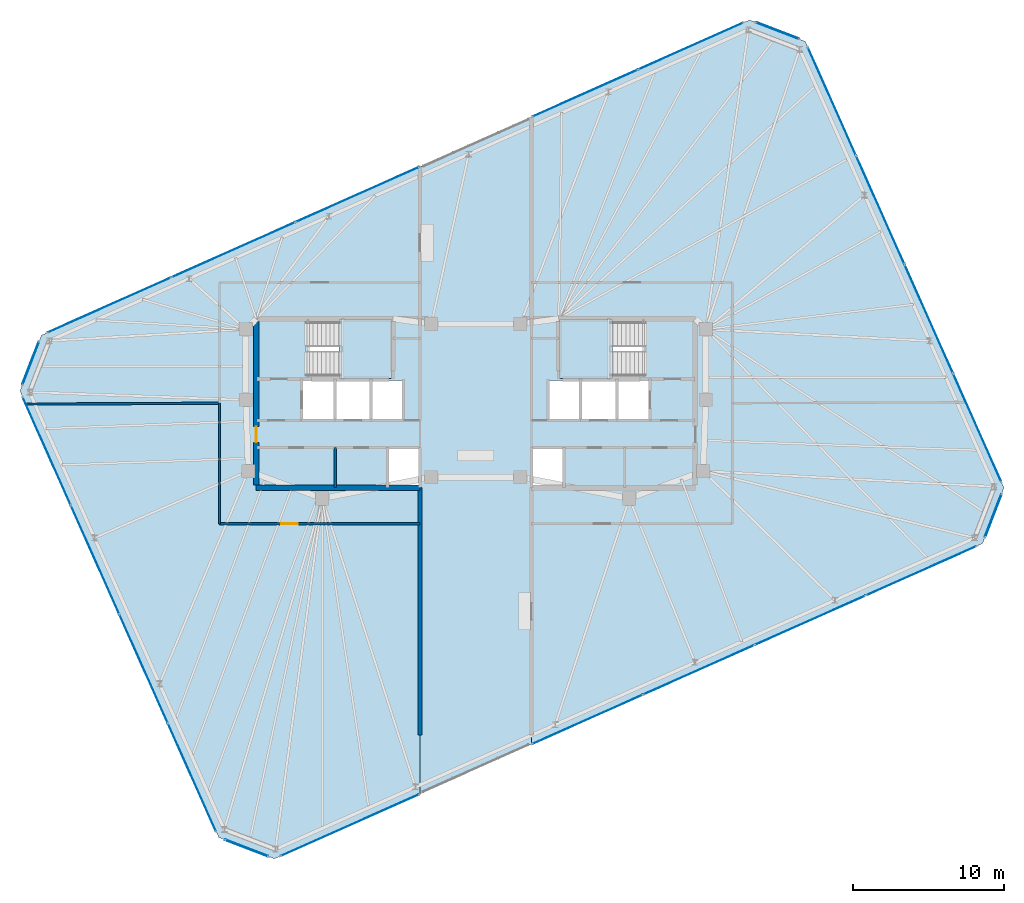
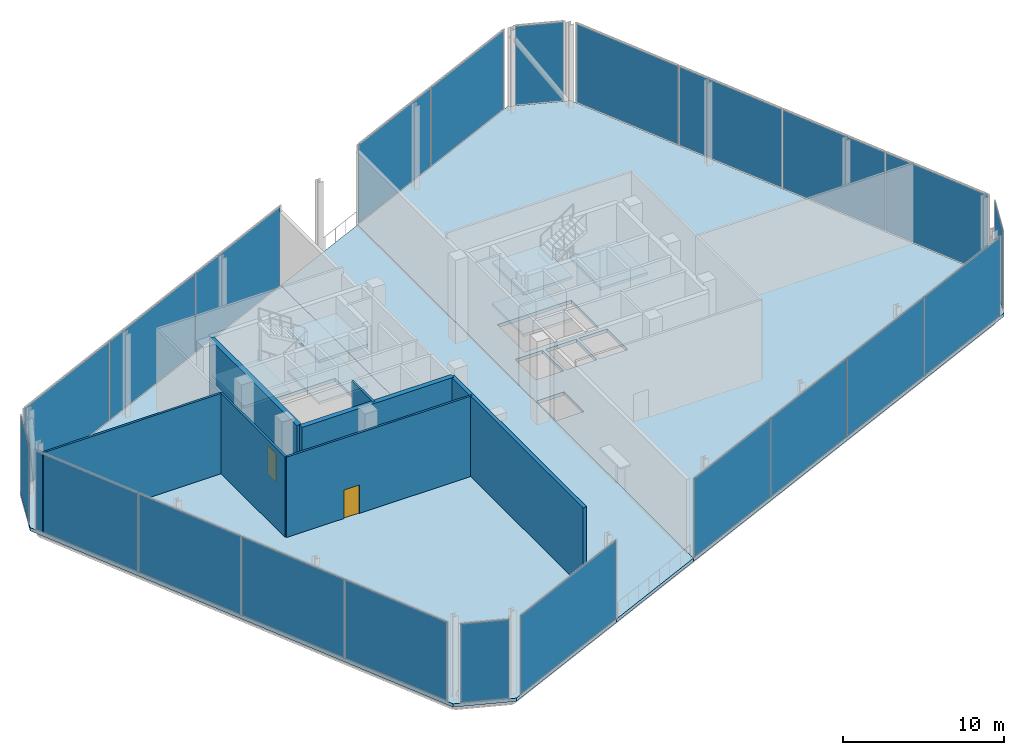
# One storey, part 13 of 16: 22 plates, 9 slabs, 7 walls, 2 doors, 2 openings, 12 elements without a shape of their own.
"""IFC4 building model written with IfcOpenShell, lengths in metres."""

from ifc_helpers import new_model, si_unit, direction, frame, frame_2d, origin, origin_2d, place, context, subcontext, project, spatial, polyline, rectangle, outline, extrude, material, layer, layer_set, type_object, element, fill, aggregate, save


model = new_model("IFC4")

# Units and contexts
model_context = context("Model", 3, precision=1e-05, world=origin(), true_north=direction((0.0, 1.0)))
body_context = subcontext(model_context, "Body", "Model", "MODEL_VIEW")
ifc_project = project(units=[si_unit("LENGTHUNIT", "METRE"), si_unit("AREAUNIT", "SQUARE_METRE"), si_unit("VOLUMEUNIT", "CUBIC_METRE"), si_unit("PLANEANGLEUNIT", "RADIAN"), si_unit("MASSUNIT", "GRAM", prefix="KILO")], contexts=[model_context])

# Site, building, storey
site_placement = place(None, origin())
site = spatial("IfcSite", under=ifc_project, at=site_placement, CompositionType="ELEMENT")
building_placement = place(site_placement, origin())
building = spatial("IfcBuilding", under=site, at=building_placement, Name="Menara Jurai Vektor", CompositionType="ELEMENT")
storey_placement = place(building_placement, frame((0.0, 0.0, 275.60009765625)))
storey = spatial("IfcBuildingStorey", under=building, at=storey_placement, Name="L74", CompositionType="ELEMENT", Elevation=275.60009765625)

# Curtain wall, plates
ifc_material_1 = material(Name="Anodised Pale Aluminium & Low-E Double Glazing", Category="aluminium")
curtain_wall_type = type_object("IfcCurtainWallType", Name="CW-BLK5", PredefinedType="NOTDEFINED", material=ifc_material_1)
curtain_wall_1_placement = place(storey_placement, origin())
curtain_wall_1 = element("IfcCurtainWall", 1, at=curtain_wall_1_placement, inside=storey, type_object=curtain_wall_type, Name="Unitised Curtain Wall L74 W1-02", PredefinedType="NOTDEFINED")
ifc_material_2 = material(Name="Low-E Solar-Control Double Glazed Unit", Category="glass")
ifc_layer_1 = layer(ifc_material_2, 0.028076171875)
ifc_layer_set_1 = layer_set([ifc_layer_1], Name="Low-E Solar-Control Double Glazed Unit")
plate_type_1 = type_object("IfcPlateType", Name="CW-BLK5-PNL", PredefinedType="CURTAIN_PANEL", material=ifc_layer_set_1)
plate_1_placement = place(storey_placement, frame((-7.84375, 13.83740234375, 0.07470703125), z_axis=(0.0, 0.0, 1.0), x_axis=(-0.913545690983, -0.406736118984, 0.0)))
plate_1 = element("IfcPlate", 2, at=plate_1_placement, type_object=plate_type_1, Name="CW-05 panel 1.1", PredefinedType="CURTAIN_PANEL", context=body_context, shape_type="SweptSolid", body=[
    extrude(rectangle(XDim=8.921630859375, YDim=0.028076171875, at=origin_2d()), origin(), (0.0, 0.0, 1.0), 5.925048828125),
])
plate_2_placement = place(storey_placement, frame((-16.07958984375, 10.17041015625, 0.07470703125), z_axis=(0.0, 0.0, 1.0), x_axis=(-0.913545690983, -0.406736118984, 0.0)))
plate_2 = element("IfcPlate", 3, at=plate_2_placement, type_object=plate_type_1, Name="CW-05 panel 2.1", PredefinedType="CURTAIN_PANEL", context=body_context, shape_type="SweptSolid", body=[
    extrude(rectangle(XDim=8.958984375, YDim=0.028076171875, at=origin_2d()), origin(), (0.0, 0.0, 1.0), 5.925048828125),
])
plate_3_placement = place(storey_placement, frame((-24.3154296875, 6.503662109375, 0.07470703125), z_axis=(0.0, 0.0, 1.0), x_axis=(-0.913545690983, -0.406736118984, 0.0)))
plate_3 = element("IfcPlate", 4, at=plate_3_placement, type_object=plate_type_1, Name="CW-05 panel 3.1", PredefinedType="CURTAIN_PANEL", context=body_context, shape_type="SweptSolid", body=[
    extrude(rectangle(XDim=8.921630859375, YDim=0.028076171875, at=origin_2d()), origin(), (0.0, 0.0, 1.0), 5.925048828125),
])
aggregate(curtain_wall_1, [plate_1, plate_2, plate_3])

curtain_wall_2_placement = place(storey_placement, origin())
curtain_wall_2 = element("IfcCurtainWall", 5, at=curtain_wall_2_placement, inside=storey, type_object=curtain_wall_type, Name="Unitised Curtain Wall L74 W1-04", PredefinedType="NOTDEFINED")
plate_4_placement = place(storey_placement, frame((-28.454345703125, -3.169921875, 0.07470703125), z_axis=(0.0, 0.0, 1.0), x_axis=(0.406735138086, -0.913546127706, 0.0)))
plate_4 = element("IfcPlate", 6, at=plate_4_placement, type_object=plate_type_1, Name="CW-05 panel 1.1", PredefinedType="CURTAIN_PANEL", context=body_context, shape_type="SweptSolid", body=[
    extrude(rectangle(XDim=7.797607421875, YDim=0.028076171875, at=origin_2d()), origin(), (0.0, 0.0, 1.0), 5.925048828125),
])
plate_5_placement = place(storey_placement, frame((-25.24462890625, -10.37890625, 0.07470703125), z_axis=(0.0, 0.0, 1.0), x_axis=(0.406735138086, -0.913546127706, 0.0)))
plate_5 = element("IfcPlate", 7, at=plate_5_placement, type_object=plate_type_1, Name="CW-05 panel 2.1", PredefinedType="CURTAIN_PANEL", context=body_context, shape_type="SweptSolid", body=[
    extrude(rectangle(XDim=7.8349609375, YDim=0.028076171875, at=origin_2d()), origin(), (0.0, 0.0, 1.0), 5.925048828125),
])
plate_6_placement = place(storey_placement, frame((-22.02734375, -17.60498046875, 0.07470703125), z_axis=(0.0, 0.0, 1.0), x_axis=(0.406735138086, -0.913546127706, 0.0)))
plate_6 = element("IfcPlate", 8, at=plate_6_placement, type_object=plate_type_1, Name="CW-05 panel 3.1", PredefinedType="CURTAIN_PANEL", context=body_context, shape_type="SweptSolid", body=[
    extrude(rectangle(XDim=7.8349609375, YDim=0.028076171875, at=origin_2d()), origin(), (0.0, 0.0, 1.0), 5.925048828125),
])
plate_7_placement = place(storey_placement, frame((-18.81787109375, -24.814208984375, 0.07470703125), z_axis=(0.0, 0.0, 1.0), x_axis=(0.406735138086, -0.913546127706, 0.0)))
plate_7 = element("IfcPlate", 9, at=plate_7_placement, type_object=plate_type_1, Name="CW-05 panel 4.1", PredefinedType="CURTAIN_PANEL", context=body_context, shape_type="SweptSolid", body=[
    extrude(rectangle(XDim=7.797607421875, YDim=0.028076171875, at=origin_2d()), origin(), (0.0, 0.0, 1.0), 5.925048828125),
])
aggregate(curtain_wall_2, [plate_4, plate_5, plate_6, plate_7])

# Curtain wall, plate
curtain_wall_3_placement = place(storey_placement, origin())
curtain_wall_3 = element("IfcCurtainWall", 10, at=curtain_wall_3_placement, inside=storey, type_object=curtain_wall_type, Name="Unitised Curtain Wall L74 W1-06", PredefinedType="NOTDEFINED")
plate_8_placement = place(storey_placement, frame((-8.3515625, -27.98486328125, 0.07470703125), z_axis=(0.0, 0.0, 1.0), x_axis=(0.913547736657, 0.406731524287, 0.0)))
plate_8 = element("IfcPlate", 11, at=plate_8_placement, type_object=plate_type_1, Name="CW-05 panel 1.1", PredefinedType="CURTAIN_PANEL", context=body_context, shape_type="SweptSolid", body=[
    extrude(rectangle(XDim=10.033447265625, YDim=0.028076171875, at=origin_2d()), origin(), (0.0, 0.0, 1.0), 5.925048828125),
])
aggregate(curtain_wall_3, [plate_8])

# Curtain wall, plates
curtain_wall_4_placement = place(storey_placement, origin())
curtain_wall_4 = element("IfcCurtainWall", 12, at=curtain_wall_4_placement, inside=storey, type_object=curtain_wall_type, Name="Unitised Curtain Wall L74 W2-02", PredefinedType="NOTDEFINED")
plate_9_placement = place(storey_placement, frame((7.412109375, -20.966552734375, 0.07470703125), z_axis=(0.0, 0.0, 1.0), x_axis=(0.913545626561, 0.406736263679, 0.0)))
plate_9 = element("IfcPlate", 13, at=plate_9_placement, type_object=plate_type_1, Name="CW-05 panel 1.1", PredefinedType="CURTAIN_PANEL", context=body_context, shape_type="SweptSolid", body=[
    extrude(rectangle(XDim=7.9765625, YDim=0.028076171875, at=origin_2d()), origin(), (0.0, 0.0, 1.0), 5.925048828125),
])
plate_10_placement = place(storey_placement, frame((14.78466796875, -17.68408203125, 0.07470703125), z_axis=(0.0, 0.0, 1.0), x_axis=(0.913545626561, 0.406736263679, 0.0)))
plate_10 = element("IfcPlate", 14, at=plate_10_placement, type_object=plate_type_1, Name="CW-05 panel 2.1", PredefinedType="CURTAIN_PANEL", context=body_context, shape_type="SweptSolid", body=[
    extrude(rectangle(XDim=8.01416015625, YDim=0.028076171875, at=origin_2d()), origin(), (0.0, 0.0, 1.0), 5.925048828125),
])
plate_11_placement = place(storey_placement, frame((22.17431640625, -14.39404296875, 0.07470703125), z_axis=(0.0, 0.0, 1.0), x_axis=(0.913545626561, 0.406736263679, 0.0)))
plate_11 = element("IfcPlate", 15, at=plate_11_placement, type_object=plate_type_1, Name="CW-05 panel 3.1", PredefinedType="CURTAIN_PANEL", context=body_context, shape_type="SweptSolid", body=[
    extrude(rectangle(XDim=8.01416015625, YDim=0.028076171875, at=origin_2d()), origin(), (0.0, 0.0, 1.0), 5.925048828125),
])
plate_12_placement = place(storey_placement, frame((29.546875, -11.111572265625, 0.07470703125), z_axis=(0.0, 0.0, 1.0), x_axis=(0.913545626561, 0.406736263679, 0.0)))
plate_12 = element("IfcPlate", 16, at=plate_12_placement, type_object=plate_type_1, Name="CW-05 panel 4.1", PredefinedType="CURTAIN_PANEL", context=body_context, shape_type="SweptSolid", body=[
    extrude(rectangle(XDim=7.9765625, YDim=0.028076171875, at=origin_2d()), origin(), (0.0, 0.0, 1.0), 5.925048828125),
])
aggregate(curtain_wall_4, [plate_9, plate_10, plate_11, plate_12])

curtain_wall_5_placement = place(storey_placement, origin())
curtain_wall_5 = element("IfcCurtainWall", 17, at=curtain_wall_5_placement, inside=storey, type_object=curtain_wall_type, Name="Unitised Curtain Wall L74 W2-04", PredefinedType="NOTDEFINED")
plate_13_placement = place(storey_placement, frame((33.25439453125, -1.630126953125, 0.07470703125), z_axis=(0.0, 0.0, 1.0), x_axis=(-0.406735138086, 0.913546127706, 0.0)))
plate_13 = element("IfcPlate", 18, at=plate_13_placement, type_object=plate_type_1, Name="CW-05 panel 1.1", PredefinedType="CURTAIN_PANEL", context=body_context, shape_type="SweptSolid", body=[
    extrude(rectangle(XDim=7.797607421875, YDim=0.028076171875, at=origin_2d()), origin(), (0.0, 0.0, 1.0), 5.925048828125),
])
plate_14_placement = place(storey_placement, frame((30.044677734375, 5.578857421875, 0.07470703125), z_axis=(0.0, 0.0, 1.0), x_axis=(-0.406735138086, 0.913546127706, 0.0)))
plate_14 = element("IfcPlate", 19, at=plate_14_placement, type_object=plate_type_1, Name="CW-05 panel 2.1", PredefinedType="CURTAIN_PANEL", context=body_context, shape_type="SweptSolid", body=[
    extrude(rectangle(XDim=7.8349609375, YDim=0.028076171875, at=origin_2d()), origin(), (0.0, 0.0, 1.0), 5.925048828125),
])
plate_15_placement = place(storey_placement, frame((26.827392578125, 12.80517578125, 0.07470703125), z_axis=(0.0, 0.0, 1.0), x_axis=(-0.406735138086, 0.913546127706, 0.0)))
plate_15 = element("IfcPlate", 20, at=plate_15_placement, type_object=plate_type_1, Name="CW-05 panel 3.1", PredefinedType="CURTAIN_PANEL", context=body_context, shape_type="SweptSolid", body=[
    extrude(rectangle(XDim=7.8349609375, YDim=0.028076171875, at=origin_2d()), origin(), (0.0, 0.0, 1.0), 5.925048828125),
])
plate_16_placement = place(storey_placement, frame((23.61767578125, 20.01416015625, 0.07470703125), z_axis=(0.0, 0.0, 1.0), x_axis=(-0.406735138086, 0.913546127706, 0.0)))
plate_16 = element("IfcPlate", 21, at=plate_16_placement, type_object=plate_type_1, Name="CW-05 panel 4.1", PredefinedType="CURTAIN_PANEL", context=body_context, shape_type="SweptSolid", body=[
    extrude(rectangle(XDim=7.797607421875, YDim=0.028076171875, at=origin_2d()), origin(), (0.0, 0.0, 1.0), 5.925048828125),
])
aggregate(curtain_wall_5, [plate_13, plate_14, plate_15, plate_16])

curtain_wall_6_placement = place(storey_placement, origin())
curtain_wall_6 = element("IfcCurtainWall", 22, at=curtain_wall_6_placement, inside=storey, type_object=curtain_wall_type, Name="Unitised Curtain Wall L74 W2-06", PredefinedType="NOTDEFINED")
plate_17_placement = place(storey_placement, frame((14.260009765625, 23.678466796875, 0.07470703125), z_axis=(0.0, 0.0, 1.0), x_axis=(-0.913546905378, -0.406733391393, 0.0)))
plate_17 = element("IfcPlate", 23, at=plate_17_placement, type_object=plate_type_1, Name="CW-05 panel 1.1", PredefinedType="CURTAIN_PANEL", context=body_context, shape_type="SweptSolid", body=[
    extrude(rectangle(XDim=7.606201171875, YDim=0.028076171875, at=origin_2d()), origin(), (0.0, 0.0, 1.0), 5.925048828125),
])
plate_18_placement = place(storey_placement, frame((7.242919921875, 20.55419921875, 0.07470703125), z_axis=(0.0, 0.0, 1.0), x_axis=(-0.913546905378, -0.406733391393, 0.0)))
plate_18 = element("IfcPlate", 24, at=plate_18_placement, type_object=plate_type_1, Name="CW-05 panel 2.1", PredefinedType="CURTAIN_PANEL", context=body_context, shape_type="SweptSolid", body=[
    extrude(rectangle(XDim=7.606201171875, YDim=0.028076171875, at=origin_2d()), origin(), (0.0, 0.0, 1.0), 5.925048828125),
])
aggregate(curtain_wall_6, [plate_17, plate_18])

# Curtain wall, plate
curtain_wall_7_placement = place(storey_placement, origin())
curtain_wall_7 = element("IfcCurtainWall", 25, at=curtain_wall_7_placement, inside=storey, type_object=curtain_wall_type, Name="Unitised Curtain Wall L74 W1-03", PredefinedType="NOTDEFINED")
ifc_material_3 = material(Name="Insulated Pale Aluminium Spandrel Panel", Category="aluminium")
ifc_layer_2 = layer(ifc_material_3, 0.06005859375)
ifc_layer_set_2 = layer_set([ifc_layer_2], Name="Insulated Pale Aluminium Spandrel Panel")
plate_type_2 = type_object("IfcPlateType", Name="CW-PNL-SP", PredefinedType="CURTAIN_PANEL", material=ifc_layer_set_2)
plate_19_placement = place(storey_placement, frame((-29.515625, 2.65576171875, 0.07470703125), z_axis=(0.0, 0.0, 1.0), x_axis=(-0.358373766287, -0.933578193639, 0.0)))
plate_19 = element("IfcPlate", 26, at=plate_19_placement, type_object=plate_type_2, Name="CW-05 panel 1.1", PredefinedType="CURTAIN_PANEL", context=body_context, shape_type="SweptSolid", body=[
    extrude(rectangle(XDim=3.0498046875, YDim=0.06005859375, at=origin_2d()), origin(), (0.0, 0.0, 1.0), 5.925048828125),
])
aggregate(curtain_wall_7, [plate_19])

curtain_wall_8_placement = place(storey_placement, origin())
curtain_wall_8 = element("IfcCurtainWall", 27, at=curtain_wall_8_placement, inside=storey, type_object=curtain_wall_type, Name="Unitised Curtain Wall L74 W1-05", PredefinedType="NOTDEFINED")
plate_20_placement = place(storey_placement, frame((-15.198486328125, -29.5009765625, 0.07470703125), z_axis=(0.0, 0.0, 1.0), x_axis=(0.933578193639, -0.358373766287, 0.0)))
plate_20 = element("IfcPlate", 28, at=plate_20_placement, type_object=plate_type_2, Name="CW-05 panel 1.1", PredefinedType="CURTAIN_PANEL", context=body_context, shape_type="SweptSolid", body=[
    extrude(rectangle(XDim=3.0498046875, YDim=0.06005859375, at=origin_2d()), origin(), (0.0, 0.0, 1.0), 5.925048828125),
])
aggregate(curtain_wall_8, [plate_20])

curtain_wall_9_placement = place(storey_placement, origin())
curtain_wall_9 = element("IfcCurtainWall", 29, at=curtain_wall_9_placement, inside=storey, type_object=curtain_wall_type, Name="Unitised Curtain Wall L74 W2-03", PredefinedType="NOTDEFINED")
plate_21_placement = place(storey_placement, frame((34.315673828125, -7.455810546875, 0.07470703125), z_axis=(0.0, 0.0, 1.0), x_axis=(0.358373766287, 0.933578193639, 0.0)))
plate_21 = element("IfcPlate", 30, at=plate_21_placement, type_object=plate_type_2, Name="CW-05 panel 1.1", PredefinedType="CURTAIN_PANEL", context=body_context, shape_type="SweptSolid", body=[
    extrude(rectangle(XDim=3.0498046875, YDim=0.06005859375, at=origin_2d()), origin(), (0.0, 0.0, 1.0), 5.925048828125),
])
aggregate(curtain_wall_9, [plate_21])

curtain_wall_10_placement = place(storey_placement, origin())
curtain_wall_10 = element("IfcCurtainWall", 31, at=curtain_wall_10_placement, inside=storey, type_object=curtain_wall_type, Name="Unitised Curtain Wall L74 W2-05", PredefinedType="NOTDEFINED")
plate_22_placement = place(storey_placement, frame((19.99853515625, 24.700927734375, 0.07470703125), z_axis=(0.0, 0.0, 1.0), x_axis=(-0.933578193639, 0.358373766287, 0.0)))
plate_22 = element("IfcPlate", 32, at=plate_22_placement, type_object=plate_type_2, Name="CW-05 panel 1.1", PredefinedType="CURTAIN_PANEL", context=body_context, shape_type="SweptSolid", body=[
    extrude(rectangle(XDim=3.0498046875, YDim=0.06005859375, at=origin_2d()), origin(), (0.0, 0.0, 1.0), 5.925048828125),
])
aggregate(curtain_wall_10, [plate_22])

# Stair, slabs
ifc_material_4 = material(Name="Concrete C40/50", Category="concrete")
stair_type = type_object("IfcStairType", Name="STAIR-DOGLEG-1500", PredefinedType="HALF_TURN_STAIR", material=ifc_material_4)
stair_1_placement = place(storey_placement, origin())
stair_1 = element("IfcStair", 33, at=stair_1_placement, inside=storey, type_object=stair_type, Name="Protected Exit Stair ST1 L74", PredefinedType="HALF_TURN_STAIR")
ifc_layer_3 = layer(ifc_material_4, 0.199951171875)
ifc_layer_set_3 = layer_set([ifc_layer_3], Name="Concrete C40/50")
slab_type_1 = type_object("IfcSlabType", Name="STAIR-LANDING-200", PredefinedType="LANDING", material=ifc_layer_set_3)
slab_1_placement = place(storey_placement, frame((0.0, 0.0, 1.375)))
slab_1 = element("IfcSlab", 34, at=slab_1_placement, type_object=slab_type_1, Name="ST1 landing 1", PredefinedType="LANDING", context=body_context, shape_type="SweptSolid", body=[
    extrude(outline(polyline([(-9.080078125, 1.64990234375), (-5.550048828125, 1.64990234375), (-5.550048828125, 5.550048828125), (-9.080078125, 5.550048828125), (-9.080078125, 1.64990234375)])), origin(), (0.0, 0.0, 1.0), 0.199951171875),
])
slab_2_placement = place(storey_placement, frame((0.0, 0.0, 2.949951171875)))
slab_2 = element("IfcSlab", 35, at=slab_2_placement, type_object=slab_type_1, Name="ST1 landing 2", PredefinedType="LANDING", context=body_context, shape_type="SweptSolid", body=[
    extrude(outline(polyline([(-14.449951171875, 1.64990234375), (-11.10009765625, 1.64990234375), (-11.10009765625, 5.550048828125), (-14.449951171875, 5.550048828125), (-14.449951171875, 1.64990234375)])), origin(), (0.0, 0.0, 1.0), 0.199951171875),
])
slab_3_placement = place(storey_placement, frame((0.0, 0.0, 4.52490234375)))
slab_3 = element("IfcSlab", 36, at=slab_3_placement, type_object=slab_type_1, Name="ST1 landing 3", PredefinedType="LANDING", context=body_context, shape_type="SweptSolid", body=[
    extrude(outline(polyline([(-9.080078125, 1.64990234375), (-5.550048828125, 1.64990234375), (-5.550048828125, 5.550048828125), (-9.080078125, 5.550048828125), (-9.080078125, 1.64990234375)])), origin(), (0.0, 0.0, 1.0), 0.199951171875),
])
aggregate(stair_1, [slab_1, slab_2, slab_3])

stair_2_placement = place(storey_placement, origin())
stair_2 = element("IfcStair", 37, at=stair_2_placement, inside=storey, type_object=stair_type, Name="Protected Exit Stair ST2 L74", PredefinedType="HALF_TURN_STAIR")
slab_4_placement = place(storey_placement, frame((0.0, 0.0, 1.375)))
slab_4 = element("IfcSlab", 38, at=slab_4_placement, type_object=slab_type_1, Name="ST2 landing 1", PredefinedType="LANDING", context=body_context, shape_type="SweptSolid", body=[
    extrude(outline(polyline([(5.550048828125, 1.64990234375), (9.080078125, 1.64990234375), (9.080078125, 5.550048828125), (5.550048828125, 5.550048828125), (5.550048828125, 1.64990234375)])), origin(), (0.0, 0.0, 1.0), 0.199951171875),
])
slab_5_placement = place(storey_placement, frame((0.0, 0.0, 2.949951171875)))
slab_5 = element("IfcSlab", 39, at=slab_5_placement, type_object=slab_type_1, Name="ST2 landing 2", PredefinedType="LANDING", context=body_context, shape_type="SweptSolid", body=[
    extrude(outline(polyline([(11.10009765625, 1.64990234375), (14.449951171875, 1.64990234375), (14.449951171875, 5.550048828125), (11.10009765625, 5.550048828125), (11.10009765625, 1.64990234375)])), origin(), (0.0, 0.0, 1.0), 0.199951171875),
])
slab_6_placement = place(storey_placement, frame((0.0, 0.0, 4.52490234375)))
slab_6 = element("IfcSlab", 40, at=slab_6_placement, type_object=slab_type_1, Name="ST2 landing 3", PredefinedType="LANDING", context=body_context, shape_type="SweptSolid", body=[
    extrude(outline(polyline([(5.550048828125, 1.64990234375), (9.080078125, 1.64990234375), (9.080078125, 5.550048828125), (5.550048828125, 5.550048828125), (5.550048828125, 1.64990234375)])), origin(), (0.0, 0.0, 1.0), 0.199951171875),
])
aggregate(stair_2, [slab_4, slab_5, slab_6])

# Slabs
ifc_layer_4 = layer(ifc_material_4, 0.25)
ifc_layer_set_4 = layer_set([ifc_layer_4], Name="Concrete C40/50")
slab_type_2 = type_object("IfcSlabType", Name="STR-SLAB-SKY250", PredefinedType="FLOOR", material=ifc_layer_set_4)
slab_7_placement = place(storey_placement, frame((0.0, 0.0, -0.25)))
element("IfcSlab", 41, at=slab_7_placement, inside=storey, type_object=slab_type_2, Name="Composite Floor Slab L74-1", PredefinedType="FLOOR", context=body_context, shape_type="SweptSolid", body=[
    extrude(outline(polyline([(-3.699951171875, -25.9140625), (-3.699951171875, 15.68212890625), (-28.80615234375, 4.504150390625), (-30.22509765625, 0.807373046875), (-17.046875, -28.79150390625), (-13.35009765625, -30.21044921875), (-3.699951171875, -25.9140625)]), holes=[polyline([(-11.10009765625, 1.89990234375), (-11.10009765625, 5.300048828125), (-5.800048828125, 5.300048828125), (-5.800048828125, 1.89990234375), (-11.10009765625, 1.89990234375)]), polyline([(-11.449951171875, -1.050048828125), (-11.449951171875, 1.5), (-9.449951171875, 1.5), (-9.449951171875, -1.050048828125), (-11.449951171875, -1.050048828125)]), polyline([(-5.760009765625, -5.5), (-5.760009765625, -3.050048828125), (-3.800048828125, -3.050048828125), (-3.800048828125, -5.5), (-5.760009765625, -5.5)]), polyline([(-6.85009765625, -1.050048828125), (-6.85009765625, 1.5), (-4.889892578125, 1.5), (-4.889892578125, -1.050048828125), (-6.85009765625, -1.050048828125)]), polyline([(-9.25, -1.050048828125), (-9.25, 1.5), (-7.050048828125, 1.5), (-7.050048828125, -1.050048828125), (-9.25, -1.050048828125)])]), origin(), (0.0, 0.0, 1.0), 0.25),
])
slab_8_placement = place(storey_placement, frame((0.0, 0.0, -0.25)))
element("IfcSlab", 42, at=slab_8_placement, inside=storey, type_object=slab_type_2, Name="Composite Floor Slab L74-2", PredefinedType="FLOOR", context=body_context, shape_type="SweptSolid", body=[
    extrude(outline(polyline([(3.699951171875, 18.976806640625), (3.699951171875, -22.619384765625), (33.606201171875, -9.30419921875), (35.025146484375, -5.607421875), (21.846923828125, 23.991455078125), (18.150146484375, 25.410400390625), (3.699951171875, 18.976806640625)]), holes=[polyline([(5.800048828125, 1.89990234375), (5.800048828125, 5.300048828125), (11.10009765625, 5.300048828125), (11.10009765625, 1.89990234375), (5.800048828125, 1.89990234375)]), polyline([(9.449951171875, -1.050048828125), (9.449951171875, 1.5), (11.449951171875, 1.5), (11.449951171875, -1.050048828125), (9.449951171875, -1.050048828125)]), polyline([(3.800048828125, -5.5), (3.800048828125, -3.050048828125), (5.760009765625, -3.050048828125), (5.760009765625, -5.5), (3.800048828125, -5.5)]), polyline([(4.889892578125, -1.050048828125), (4.889892578125, 1.5), (6.85009765625, 1.5), (6.85009765625, -1.050048828125), (4.889892578125, -1.050048828125)]), polyline([(7.050048828125, -1.050048828125), (7.050048828125, 1.5), (9.25, 1.5), (9.25, -1.050048828125), (7.050048828125, -1.050048828125)])]), origin(), (0.0, 0.0, 1.0), 0.25),
])
slab_9_placement = place(storey_placement, frame((0.0, 0.0, -0.25)))
element("IfcSlab", 43, at=slab_9_placement, inside=storey, type_object=slab_type_2, Name="L74 Wind Portal Sky Breezeway Deck", PredefinedType="FLOOR", context=body_context, shape_type="SweptSolid", body=[
    extrude(outline(polyline([(3.699951171875, -22.619384765625), (3.699951171875, 18.976806640625), (-3.699951171875, 15.68212890625), (-3.699951171875, -25.9140625), (3.699951171875, -22.619384765625)])), origin(), (0.0, 0.0, 1.0), 0.25),
])

# Walls
ifc_material_5 = material(Name="Insulated Pale Aluminium Terrace Wall", Category="aluminium")
ifc_layer_5 = layer(ifc_material_5, 0.260009765625)
ifc_layer_set_5 = layer_set([ifc_layer_5], Name="Insulated Pale Aluminium Terrace Wall")
wall_type_1 = type_object("IfcWallType", Name="ENV-WALL-EXT260", PredefinedType="STANDARD", material=ifc_layer_set_5)
wall_1_placement = place(storey_placement, frame((-3.699951171875, -22.0, 0.0), z_axis=(0.0, 0.0, 1.0), x_axis=(0.0, 1.0, 0.0)))
element("IfcWall", 44, at=wall_1_placement, inside=storey, type_object=wall_type_1, Name="Wind Portal Breezeway Wall 1-S", PredefinedType="STANDARD", context=body_context, shape_type="SweptSolid", body=[
    extrude(rectangle(XDim=16.39990234375, YDim=0.260009765625, at=frame_2d((8.199951171875, 0.0))), origin(), (0.0, 0.0, 1.0), 6.074951171875),
])
ifc_material_6 = material(Name="Gypsum Fireboard Partition", Category="gypsum")
ifc_layer_6 = layer(ifc_material_6, 0.14990234375)
ifc_layer_set_6 = layer_set([ifc_layer_6], Name="Gypsum Fireboard Partition")
wall_type_2 = type_object("IfcWallType", Name="INT-WALL-CORR-150", PredefinedType="PARTITIONING", material=ifc_layer_set_6)
wall_2_placement = place(storey_placement, frame((-9.320068359375, -5.60009765625, 0.0), z_axis=(0.0, 0.0, 1.0), x_axis=(0.0, 1.0, 0.0)))
element("IfcWall", 45, at=wall_2_placement, inside=storey, type_object=wall_type_2, Name="Interior Wall IW-150 L74", PredefinedType="PARTITIONING", context=body_context, shape_type="SweptSolid", body=[
    extrude(rectangle(XDim=2.650146484375, YDim=0.14990234375, at=frame_2d((1.3251953125, 0.0))), origin(), (0.0, 0.0, 1.0), 6.074951171875),
])
wall_3_placement = place(storey_placement, frame((-17.0, -8.0, 0.0), z_axis=(0.0, 0.0, 1.0), x_axis=(0.0, 1.0, 0.0)))
element("IfcWall", 46, at=wall_3_placement, inside=storey, type_object=wall_type_2, Name="Interior Wall IW-150 L74", PredefinedType="PARTITIONING", context=body_context, shape_type="SweptSolid", body=[
    extrude(rectangle(XDim=8.0, YDim=0.14990234375, at=frame_2d((4.0, 0.0))), origin(), (0.0, 0.0, 1.0), 6.074951171875),
])

# Wall, opening, door
wall_4_placement = place(storey_placement, frame((-17.0, -8.0, 0.0), z_axis=(0.0, 0.0, 1.0), x_axis=(1.0, 0.0, 0.0)))
wall_4 = element("IfcWall", 47, at=wall_4_placement, inside=storey, type_object=wall_type_2, Name="Interior Wall IW-150 L74", PredefinedType="PARTITIONING", context=body_context, shape_type="SweptSolid", body=[
    extrude(rectangle(XDim=13.300048828125, YDim=0.14990234375, at=frame_2d((6.64990234375, 0.0))), origin(), (0.0, 0.0, 1.0), 6.074951171875),
])
opening_1_placement = place(wall_4_placement, frame((4.10498046875, 0.0, 0.0)))
opening_1 = element("IfcOpeningElement", 48, at=opening_1_placement, cuts=wall_4, Name="Opening D74-08", PredefinedType="OPENING", context=body_context, shape_type="SweptSolid", body=[
    extrude(rectangle(XDim=1.10009765625, YDim=2.14990234375, at=frame_2d((0.550048828125, 1.074951171875))), frame((0.0, 0.0849609375, 0.0), z_axis=(0.0, -1.0, 0.0), x_axis=(1.0, 0.0, 0.0)), (0.0, 0.0, 1.0), 0.169921875),
])
ifc_material_7 = material(Name="Fire-Rated Steel Plant Door", Category="steel")
door_type = type_object("IfcDoorType", Name="DR-PLANT-1150", OperationType="NOTDEFINED", PredefinedType="DOOR", material=ifc_material_7)
door_1_placement = place(opening_1_placement, origin())
door_1 = element("IfcDoor", 49, at=door_1_placement, inside=storey, type_object=door_type, Name="Interior Door D74-08", OperationType="SINGLE_SWING_RIGHT", OverallHeight=2.14990234375, OverallWidth=1.10009765625, PredefinedType="DOOR", context=body_context, shape_type="SweptSolid", body=[
    extrude(rectangle(XDim=1.10009765625, YDim=2.14990234375, at=frame_2d((0.550048828125, 1.074951171875))), frame((0.0, 0.02490234375, 0.0), z_axis=(0.0, -1.0, 0.0), x_axis=(1.0, 0.0, 0.0)), (0.0, 0.0, 1.0), 0.050048828125),
])
fill(opening_1, door_1)

# Walls
wall_5_placement = place(storey_placement, frame((-29.83837890625, -0.061279296875, 0.0), z_axis=(0.0, 0.0, 1.0), x_axis=(0.999988608793, 0.004773079162, 0.0)))
element("IfcWall", 50, at=wall_5_placement, inside=storey, type_object=wall_type_2, Name="Interior Wall IW-150 L74", PredefinedType="PARTITIONING", context=body_context, shape_type="SweptSolid", body=[
    extrude(rectangle(XDim=12.838623046875, YDim=0.14990234375, at=frame_2d((6.41943359375, 0.0))), origin(), (0.0, 0.0, 1.0), 6.074951171875),
])
ifc_material_8 = material(Name="Concrete C50/60", Category="concrete")
ifc_layer_7 = layer(ifc_material_8, 0.35009765625)
ifc_layer_set_7 = layer_set([ifc_layer_7], Name="Concrete C50/60")
wall_type_3 = type_object("IfcWallType", Name="STR-WALL-CORE350", PredefinedType="SHEAR", material=ifc_layer_set_7)
wall_6_placement = place(storey_placement, frame((-14.56005859375, -5.60009765625, 0.0), z_axis=(0.0, 0.0, 1.0), x_axis=(1.0, 0.0, 0.0)))
element("IfcWall", 51, at=wall_6_placement, inside=storey, type_object=wall_type_3, Name="Core Shear Wall CW-W-S L74", PredefinedType="SHEAR", context=body_context, shape_type="SweptSolid", body=[
    extrude(rectangle(XDim=10.860107421875, YDim=0.35009765625, at=frame_2d((5.43017578125, 0.0))), origin(), (0.0, 0.0, 1.0), 6.074951171875),
])

# Wall, opening, door
wall_7_placement = place(storey_placement, frame((-14.56005859375, -5.425048828125, 0.0), z_axis=(0.0, 0.0, 1.0), x_axis=(0.0, 1.0, 0.0)))
wall_7 = element("IfcWall", 52, at=wall_7_placement, inside=storey, type_object=wall_type_3, Name="Core Shear Wall CW-W-W L74", PredefinedType="SHEAR", context=body_context, shape_type="SweptSolid", body=[
    extrude(rectangle(XDim=10.85009765625, YDim=0.35009765625, at=frame_2d((5.425048828125, 0.0))), origin(), (0.0, 0.0, 1.0), 6.074951171875),
])
opening_2_placement = place(wall_7_placement, frame((2.824951171875, 0.0, 0.0)))
opening_2 = element("IfcOpeningElement", 53, at=opening_2_placement, cuts=wall_7, Name="Opening D74-11", PredefinedType="OPENING", context=body_context, shape_type="SweptSolid", body=[
    extrude(rectangle(XDim=1.050048828125, YDim=2.14990234375, at=frame_2d((0.52490234375, 1.074951171875))), frame((0.0, 0.18505859375, 0.0), z_axis=(0.0, -1.0, 0.0), x_axis=(1.0, 0.0, 0.0)), (0.0, 0.0, 1.0), 0.3701171875),
])
door_2_placement = place(opening_2_placement, origin())
door_2 = element("IfcDoor", 54, at=door_2_placement, inside=storey, type_object=door_type, Name="Interior Door D74-11", OperationType="SINGLE_SWING_LEFT", OverallHeight=2.14990234375, OverallWidth=1.050048828125, PredefinedType="DOOR", context=body_context, shape_type="SweptSolid", body=[
    extrude(rectangle(XDim=1.050048828125, YDim=2.14990234375, at=frame_2d((0.52490234375, 1.074951171875))), frame((0.0, 0.02490234375, 0.0), z_axis=(0.0, -1.0, 0.0), x_axis=(1.0, 0.0, 0.0)), (0.0, 0.0, 1.0), 0.050048828125),
])
fill(opening_2, door_2)

save(model, "model.ifc")
